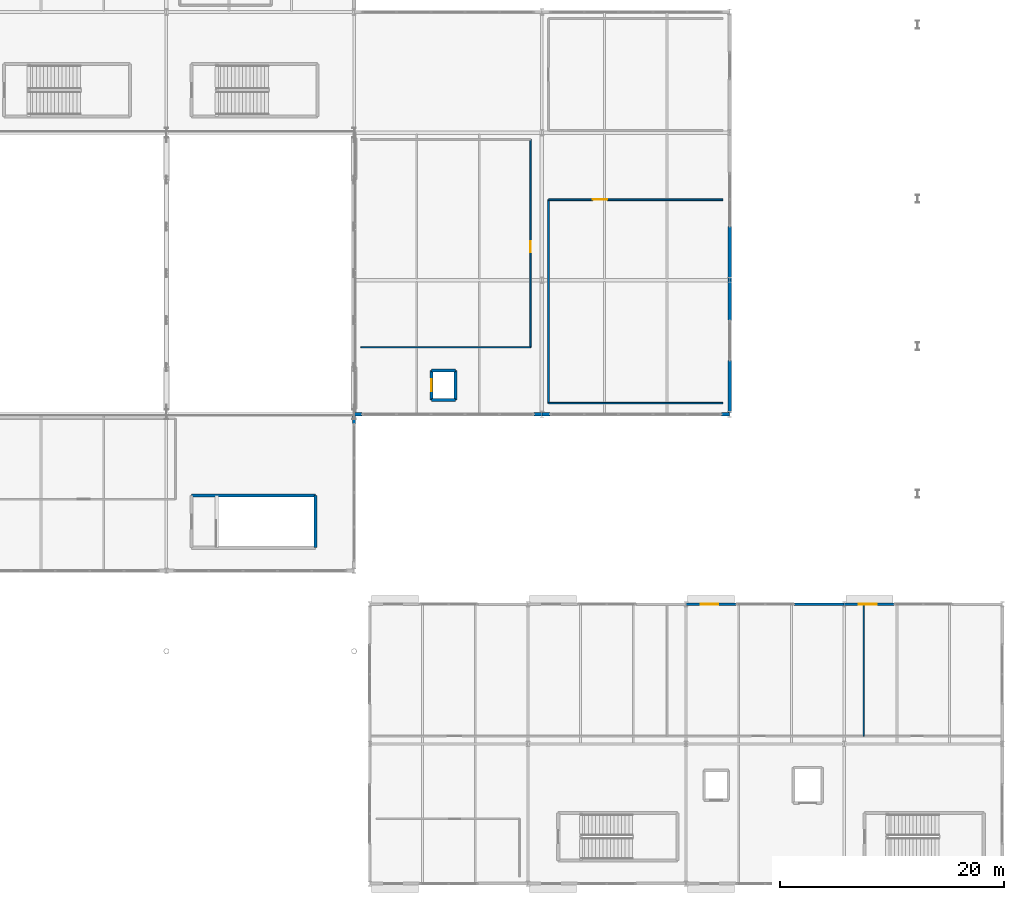
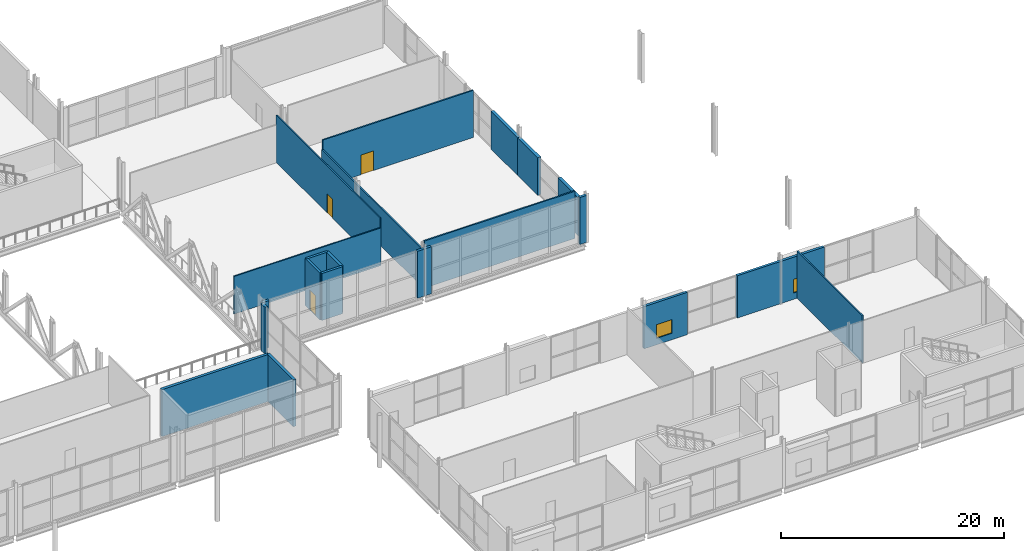
# One storey, part 66 of 84: 23 walls, 3 doors, 2 windows, 5 openings.
"""IFC4 building model written with IfcOpenShell, lengths in metres."""

from ifc_helpers import new_model, si_unit, direction, frame, frame_2d, origin, place, context, subcontext, project, spatial, rectangle, extrude, material, layer, layer_set, type_object, element, fill, save


model = new_model("IFC4")

# Units and contexts
model_context = context("Model", 3, precision=1e-05, world=origin(), true_north=direction((0.0, 1.0)))
body_context = subcontext(model_context, "Body", "Model", "MODEL_VIEW")
ifc_project = project(units=[si_unit("LENGTHUNIT", "METRE"), si_unit("AREAUNIT", "SQUARE_METRE"), si_unit("VOLUMEUNIT", "CUBIC_METRE"), si_unit("PLANEANGLEUNIT", "RADIAN"), si_unit("MASSUNIT", "GRAM", prefix="KILO")], contexts=[model_context])

# Site, building, storey
site_placement = place(None, origin())
site = spatial("IfcSite", under=ifc_project, at=site_placement, CompositionType="ELEMENT")
building_placement = place(site_placement, origin())
building = spatial("IfcBuilding", under=site, at=building_placement, Name="Kimbaza Rail Terminus", CompositionType="ELEMENT")
storey_placement = place(building_placement, frame((0.0, 0.0, 5.39990234375)))
storey = spatial("IfcBuildingStorey", under=building, at=storey_placement, Name="L01", CompositionType="ELEMENT", Elevation=5.39990234375)

# Wall, opening, window
ifc_material_1 = material(Name="Concrete blockwork C30/37", Category="masonry")
ifc_layer_1 = layer(ifc_material_1, 0.260009765625)
ifc_layer_set_1 = layer_set([ifc_layer_1], Name="Concrete blockwork C30/37")
wall_type_1 = type_object("IfcWallType", Name="ARC-WL-EXT260", PredefinedType="STANDARD", material=ifc_layer_set_1)
wall_1_placement = place(storey_placement, frame((185.699951171875, 38.0, 0.0), z_axis=(0.0, 0.0, 1.0), x_axis=(1.0, 0.0, 0.0)))
wall_1 = element("IfcWall", 1, at=wall_1_placement, inside=storey, type_object=wall_type_1, Name="Pavilion N Wall L01.2A", PredefinedType="STANDARD", context=body_context, shape_type="SweptSolid", body=[
    extrude(rectangle(XDim=4.5, YDim=0.260009765625, at=frame_2d((2.25, 0.0))), origin(), (0.0, 0.0, 1.0), 4.625),
])
opening_1_placement = place(wall_1_placement, frame((1.300048828125, 0.0, 0.699951171875)))
opening_1 = element("IfcOpeningElement", 2, at=opening_1_placement, cuts=wall_1, Name="Opening W-18", PredefinedType="OPENING", context=body_context, shape_type="SweptSolid", body=[
    extrude(rectangle(XDim=1.60009765625, YDim=1.5, at=frame_2d((0.800048828125, 0.75))), frame((0.0, 0.139892578125, 0.0), z_axis=(0.0, -1.0, 0.0), x_axis=(1.0, 0.0, 0.0)), (0.0, 0.0, 1.0), 0.280029296875),
])
ifc_material_2 = material(Name="Thermally broken aluminium and solar low-E glass", Category="aluminium")
window_type = type_object("IfcWindowType", Name="ARC-WIN-W-18", PartitioningType="SINGLE_PANEL", PredefinedType="WINDOW", material=ifc_material_2)
window_1_placement = place(opening_1_placement, origin())
window_1 = element("IfcWindow", 3, at=window_1_placement, inside=storey, type_object=window_type, Name="Pavilion Window L01.3", OverallHeight=1.5, OverallWidth=1.60009765625, PartitioningType="SINGLE_PANEL", PredefinedType="WINDOW", context=body_context, shape_type="SweptSolid", body=[
    extrude(rectangle(XDim=1.60009765625, YDim=1.5, at=frame_2d((0.800048828125, 0.75))), frame((0.0, 0.030029296875, 0.0), z_axis=(0.0, -1.0, 0.0), x_axis=(1.0, 0.0, 0.0)), (0.0, 0.0, 1.0), 0.06005859375),
])
fill(opening_1, window_1)

# Wall
wall_2_placement = place(storey_placement, frame((195.35009765625, 38.0, 0.0), z_axis=(0.0, 0.0, 1.0), x_axis=(1.0, 0.0, 0.0)))
element("IfcWall", 4, at=wall_2_placement, inside=storey, type_object=wall_type_1, Name="Pavilion N Wall L01.2B", PredefinedType="STANDARD", context=body_context, shape_type="SweptSolid", body=[
    extrude(rectangle(XDim=4.5, YDim=0.260009765625, at=frame_2d((2.25, 0.0))), origin(), (0.0, 0.0, 1.0), 4.625),
])

# Wall, opening, window
wall_3_placement = place(storey_placement, frame((199.85009765625, 38.0, 0.0), z_axis=(0.0, 0.0, 1.0), x_axis=(1.0, 0.0, 0.0)))
wall_3 = element("IfcWall", 5, at=wall_3_placement, inside=storey, type_object=wall_type_1, Name="Pavilion N Wall L01.3A", PredefinedType="STANDARD", context=body_context, shape_type="SweptSolid", body=[
    extrude(rectangle(XDim=4.5, YDim=0.260009765625, at=frame_2d((2.25, 0.0))), origin(), (0.0, 0.0, 1.0), 4.625),
])
opening_2_placement = place(wall_3_placement, frame((1.300048828125, 0.0, 0.699951171875)))
opening_2 = element("IfcOpeningElement", 6, at=opening_2_placement, cuts=wall_3, Name="Opening W-18", PredefinedType="OPENING", context=body_context, shape_type="SweptSolid", body=[
    extrude(rectangle(XDim=1.60009765625, YDim=1.5, at=frame_2d((0.800048828125, 0.75))), frame((0.0, 0.139892578125, 0.0), z_axis=(0.0, -1.0, 0.0), x_axis=(1.0, 0.0, 0.0)), (0.0, 0.0, 1.0), 0.280029296875),
])
window_2_placement = place(opening_2_placement, origin())
window_2 = element("IfcWindow", 7, at=window_2_placement, inside=storey, type_object=window_type, Name="Pavilion Window L01.4", OverallHeight=1.5, OverallWidth=1.60009765625, PartitioningType="SINGLE_PANEL", PredefinedType="WINDOW", context=body_context, shape_type="SweptSolid", body=[
    extrude(rectangle(XDim=1.60009765625, YDim=1.5, at=frame_2d((0.800048828125, 0.75))), frame((0.0, 0.030029296875, 0.0), z_axis=(0.0, -1.0, 0.0), x_axis=(1.0, 0.0, 0.0)), (0.0, 0.0, 1.0), 0.06005859375),
])
fill(opening_2, window_2)

# Walls
ifc_material_3 = material(Name="Precast concrete C40/50", Category="concrete")
ifc_layer_2 = layer(ifc_material_3, 0.280029296875)
ifc_layer_set_2 = layer_set([ifc_layer_2], Name="Precast concrete C40/50")
wall_type_2 = type_object("IfcWallType", Name="ARC-WL-EXT280", PredefinedType="STANDARD", material=ifc_layer_set_2)
wall_4_placement = place(storey_placement, frame((156.0, 54.139892578125, 0.0), z_axis=(0.0, 0.0, 1.0), x_axis=(0.0, 1.0, 0.0)))
element("IfcWall", 8, at=wall_4_placement, inside=storey, type_object=wall_type_2, Name="Concourse E Return Curtain Wall L01 Corner Pier B", PredefinedType="STANDARD", context=body_context, shape_type="SweptSolid", body=[
    extrude(rectangle(XDim=0.72021484375, YDim=0.280029296875, at=frame_2d((0.360107421875, 0.0))), origin(), (0.0, 0.0, 1.0), 5.14013671875),
])
for number, where, z_axis, x_axis, name in (
    (9, (156.0, 55.0, 0.0), (0.0, 0.0, 1.0), (1.0, 0.0, 0.0), "Ticket Hall Wing E Curtain Wall L01.1 Corner Pier A"),
    (10, (172.080078125, 55.0, 0.0), (0.0, 0.0, 1.0), (1.0, 0.0, 0.0), "Ticket Hall Wing E Curtain Wall L01.1 Corner Pier B"),
    (11, (172.800048828125, 55.0, 0.0), (0.0, 0.0, 1.0), (1.0, 0.0, 0.0), "Ticket Hall Wing E Curtain Wall L01.2 Corner Pier A"),
):
    element("IfcWall", number, at=place(storey_placement, frame(where, z_axis=z_axis, x_axis=x_axis)), inside=storey, type_object=wall_type_2, Name=name, PredefinedType="STANDARD", context=body_context, shape_type="SweptSolid", body=[
        extrude(rectangle(XDim=0.719970703125, YDim=0.280029296875, at=frame_2d((0.35986328125, 0.0))), origin(), (0.0, 0.0, 1.0), 5.14013671875),
    ])
wall_5_placement = place(storey_placement, frame((188.8798828125, 55.0, 0.0), z_axis=(0.0, 0.0, 1.0), x_axis=(1.0, 0.0, 0.0)))
element("IfcWall", 12, at=wall_5_placement, inside=storey, type_object=wall_type_2, Name="Ticket Hall Wing E Curtain Wall L01.2 Corner Pier B", PredefinedType="STANDARD", context=body_context, shape_type="SweptSolid", body=[
    extrude(rectangle(XDim=0.72021484375, YDim=0.280029296875, at=frame_2d((0.360107421875, 0.0))), origin(), (0.0, 0.0, 1.0), 5.14013671875),
])
ifc_material_4 = material(Name="Precast concrete C40/50", Category="concrete")
ifc_layer_3 = layer(ifc_material_4, 0.320068359375)
ifc_layer_set_3 = layer_set([ifc_layer_3], Name="Precast concrete C40/50")
wall_type_3 = type_object("IfcWallType", Name="ARC-WL-EXT320", PredefinedType="STANDARD", material=ifc_layer_set_3)
wall_6_placement = place(storey_placement, frame((189.60009765625, 55.139892578125, 0.0), z_axis=(0.0, 0.0, 1.0), x_axis=(0.0, 1.0, 0.0)))
element("IfcWall", 13, at=wall_6_placement, inside=storey, type_object=wall_type_3, Name="Ticket Hall E Flank Wall L01.1", PredefinedType="STANDARD", context=body_context, shape_type="SweptSolid", body=[
    extrude(rectangle(XDim=4.66015625, YDim=0.320068359375, at=frame_2d((2.330078125, 0.0))), origin(), (0.0, 0.0, 1.0), 4.125),
])
wall_7_placement = place(storey_placement, frame((189.60009765625, 63.39990234375, 0.0), z_axis=(0.0, 0.0, 1.0), x_axis=(0.0, 1.0, 0.0)))
element("IfcWall", 14, at=wall_7_placement, inside=storey, type_object=wall_type_3, Name="Ticket Hall E Pier L01.1", PredefinedType="STANDARD", context=body_context, shape_type="SweptSolid", body=[
    extrude(rectangle(XDim=3.60009765625, YDim=0.320068359375, at=frame_2d((1.800048828125, 0.0))), origin(), (0.0, 0.0, 1.0), 4.125),
])
wall_8_placement = place(storey_placement, frame((189.60009765625, 67.0, 0.0), z_axis=(0.0, 0.0, 1.0), x_axis=(0.0, 1.0, 0.0)))
element("IfcWall", 15, at=wall_8_placement, inside=storey, type_object=wall_type_3, Name="Ticket Hall E Flank Wall L01.2", PredefinedType="STANDARD", context=body_context, shape_type="SweptSolid", body=[
    extrude(rectangle(XDim=4.800048828125, YDim=0.320068359375, at=frame_2d((2.39990234375, 0.0))), origin(), (0.0, 0.0, 1.0), 4.125),
])
ifc_material_5 = material(Name="Acoustic gypsum stud partition", Category="gypsum")
ifc_layer_4 = layer(ifc_material_5, 0.1298828125)
ifc_layer_set_4 = layer_set([ifc_layer_4], Name="Acoustic gypsum stud partition")
wall_type_4 = type_object("IfcWallType", Name="ARC-WL-PART130", PredefinedType="PARTITIONING", material=ifc_layer_set_4)
wall_9_placement = place(storey_placement, frame((156.60009765625, 61.0, 0.0), z_axis=(0.0, 0.0, 1.0), x_axis=(1.0, 0.0, 0.0)))
element("IfcWall", 16, at=wall_9_placement, inside=storey, type_object=wall_type_4, Name="East Mezzanine Rail Ticketing Salon Partition (south)", PredefinedType="PARTITIONING", context=body_context, shape_type="SweptSolid", body=[
    extrude(rectangle(XDim=15.199951171875, YDim=0.1298828125, at=frame_2d((7.60009765625, 0.0))), origin(), (0.0, 0.0, 1.0), 4.125),
])

# Wall, opening, door
wall_10_placement = place(storey_placement, frame((171.800048828125, 61.0, 0.0), z_axis=(0.0, 0.0, 1.0), x_axis=(0.0, 1.0, 0.0)))
wall_10 = element("IfcWall", 17, at=wall_10_placement, inside=storey, type_object=wall_type_4, Name="East Mezzanine Rail Ticketing Salon Partition (east)", PredefinedType="PARTITIONING", context=body_context, shape_type="SweptSolid", body=[
    extrude(rectangle(XDim=18.60009765625, YDim=0.1298828125, at=frame_2d((9.300048828125, 0.0))), origin(), (0.0, 0.0, 1.0), 5.16015625),
])
opening_3_placement = place(wall_10_placement, frame((9.489990234375, 0.0, 0.0), z_axis=(0.0, 0.0, 1.0), x_axis=(-1.0, 0.0, 0.0)))
opening_3 = element("IfcOpeningElement", 18, at=opening_3_placement, cuts=wall_10, Name="Opening ID-10", PredefinedType="OPENING", context=body_context, shape_type="SweptSolid", body=[
    extrude(rectangle(XDim=0.97998046875, YDim=2.10009765625, at=frame_2d((0.489990234375, 1.050048828125))), frame((0.0, 0.074951171875, 0.0), z_axis=(0.0, -1.0, 0.0), x_axis=(1.0, 0.0, 0.0)), (0.0, 0.0, 1.0), 0.14990234375),
])
ifc_material_6 = material(Name="Washroom suite privacy door", Category="wood")
door_type_1 = type_object("IfcDoorType", Name="ARC-DR-ID098", OperationType="NOTDEFINED", PredefinedType="DOOR", material=ifc_material_6)
door_1_placement = place(opening_3_placement, origin())
door_1 = element("IfcDoor", 19, at=door_1_placement, inside=storey, type_object=door_type_1, Name="IDR-SPC-L01-EBUS", OperationType="SINGLE_SWING_LEFT", OverallHeight=2.10009765625, OverallWidth=0.97998046875, PredefinedType="DOOR", context=body_context, shape_type="SweptSolid", body=[
    extrude(rectangle(XDim=0.97998046875, YDim=2.10009765625, at=frame_2d((0.489990234375, 1.050048828125))), frame((0.0, 0.02490234375, 0.0), z_axis=(0.0, -1.0, 0.0), x_axis=(1.0, 0.0, 0.0)), (0.0, 0.0, 1.0), 0.050048828125),
])
fill(opening_3, door_1)

# Walls
wall_11_placement = place(storey_placement, frame((201.60009765625, 26.199951171875, 0.0), z_axis=(0.0, 0.0, 1.0), x_axis=(0.0, 1.0, 0.0)))
element("IfcWall", 20, at=wall_11_placement, inside=storey, type_object=wall_type_4, Name="Brasserie Preparation Kitchen Partition (east)", PredefinedType="PARTITIONING", context=body_context, shape_type="SweptSolid", body=[
    extrude(rectangle(XDim=11.670166015625, YDim=0.1298828125, at=frame_2d((5.8349609375, 0.0))), origin(), (0.0, 0.0, 1.0), 5.16015625),
])
ifc_material_7 = material(Name="Acoustic gypsum stud partition", Category="gypsum")
ifc_layer_5 = layer(ifc_material_7, 0.14990234375)
ifc_layer_set_5 = layer_set([ifc_layer_5], Name="Acoustic gypsum stud partition")
wall_type_5 = type_object("IfcWallType", Name="ARC-WL-PART150", PredefinedType="PARTITIONING", material=ifc_layer_set_5)
wall_12_placement = place(storey_placement, frame((173.39990234375, 56.0, 0.0), z_axis=(0.0, 0.0, 1.0), x_axis=(1.0, 0.0, 0.0)))
element("IfcWall", 21, at=wall_12_placement, inside=storey, type_object=wall_type_5, Name="Family and Quiet Waiting Lounge Partition (south)", PredefinedType="PARTITIONING", context=body_context, shape_type="SweptSolid", body=[
    extrude(rectangle(XDim=15.60009765625, YDim=0.14990234375, at=frame_2d((7.800048828125, 0.0))), origin(), (0.0, 0.0, 1.0), 5.16015625),
])

# Wall, opening, door
wall_13_placement = place(storey_placement, frame((189.0, 74.199951171875, 0.0), z_axis=(0.0, 0.0, 1.0), x_axis=(-1.0, 0.0, 0.0)))
wall_13 = element("IfcWall", 22, at=wall_13_placement, inside=storey, type_object=wall_type_5, Name="Family and Quiet Waiting Lounge Partition (north)", PredefinedType="PARTITIONING", context=body_context, shape_type="SweptSolid", body=[
    extrude(rectangle(XDim=15.60009765625, YDim=0.14990234375, at=frame_2d((7.800048828125, 0.0))), origin(), (0.0, 0.0, 1.0), 5.16015625),
])
opening_4_placement = place(wall_13_placement, frame((10.35009765625, 0.0, 0.0)))
opening_4 = element("IfcOpeningElement", 23, at=opening_4_placement, cuts=wall_13, Name="Opening ID-08", PredefinedType="OPENING", context=body_context, shape_type="SweptSolid", body=[
    extrude(rectangle(XDim=1.300048828125, YDim=2.14990234375, at=frame_2d((0.64990234375, 1.074951171875))), frame((0.0, 0.0849609375, 0.0), z_axis=(0.0, -1.0, 0.0), x_axis=(1.0, 0.0, 0.0)), (0.0, 0.0, 1.0), 0.169921875),
])
ifc_material_8 = material(Name="Training classroom acoustic door", Category="wood")
door_type_2 = type_object("IfcDoorType", Name="ARC-DR-ID130", OperationType="NOTDEFINED", PredefinedType="DOOR", material=ifc_material_8)
door_2_placement = place(opening_4_placement, origin())
door_2 = element("IfcDoor", 24, at=door_2_placement, inside=storey, type_object=door_type_2, Name="IDR-SPC-L01-ELNG", OperationType="SINGLE_SWING_LEFT", OverallHeight=2.14990234375, OverallWidth=1.300048828125, PredefinedType="DOOR", context=body_context, shape_type="SweptSolid", body=[
    extrude(rectangle(XDim=1.300048828125, YDim=2.14990234375, at=frame_2d((0.64990234375, 1.074951171875))), frame((0.0, 0.02490234375, 0.0), z_axis=(0.0, -1.0, 0.0), x_axis=(1.0, 0.0, 0.0)), (0.0, 0.0, 1.0), 0.050048828125),
])
fill(opening_4, door_2)

# Walls
wall_14_placement = place(storey_placement, frame((173.39990234375, 74.199951171875, 0.0), z_axis=(0.0, 0.0, 1.0), x_axis=(0.0, -1.0, 0.0)))
element("IfcWall", 25, at=wall_14_placement, inside=storey, type_object=wall_type_5, Name="Family and Quiet Waiting Lounge Partition (west)", PredefinedType="PARTITIONING", context=body_context, shape_type="SweptSolid", body=[
    extrude(rectangle(XDim=18.199951171875, YDim=0.14990234375, at=frame_2d((9.10009765625, 0.0))), origin(), (0.0, 0.0, 1.0), 4.125),
])
ifc_material_9 = material(Name="Concrete C40/50", Category="concrete")
ifc_layer_6 = layer(ifc_material_9, 0.25)
ifc_layer_set_6 = layer_set([ifc_layer_6], Name="Concrete C40/50")
wall_type_6 = type_object("IfcWallType", Name="STR-WL-CORE250", PredefinedType="SHEAR", material=ifc_layer_set_6)
wall_15_placement = place(storey_placement, frame((162.919921875, 56.27001953125, 0.0), z_axis=(0.0, 0.0, 1.0), x_axis=(1.0, 0.0, 0.0)))
element("IfcWall", 26, at=wall_15_placement, inside=storey, type_object=wall_type_6, Name="Lift Shaft Wall LP-06 L01-1", PredefinedType="SHEAR", context=body_context, shape_type="SweptSolid", body=[
    extrude(rectangle(XDim=2.16015625, YDim=0.25, at=frame_2d((1.080078125, 0.0))), origin(), (0.0, 0.0, 1.0), 5.14013671875),
])
wall_16_placement = place(storey_placement, frame((165.080078125, 56.27001953125, 0.0), z_axis=(0.0, 0.0, 1.0), x_axis=(0.0, 1.0, 0.0)))
element("IfcWall", 27, at=wall_16_placement, inside=storey, type_object=wall_type_6, Name="Lift Shaft Wall LP-06 L01-2", PredefinedType="SHEAR", context=body_context, shape_type="SweptSolid", body=[
    extrude(rectangle(XDim=2.659912109375, YDim=0.25, at=frame_2d((1.330078125, 0.0))), origin(), (0.0, 0.0, 1.0), 5.14013671875),
])
wall_17_placement = place(storey_placement, frame((165.080078125, 58.929931640625, 0.0), z_axis=(0.0, 0.0, 1.0), x_axis=(-1.0, 0.0, 0.0)))
element("IfcWall", 28, at=wall_17_placement, inside=storey, type_object=wall_type_6, Name="Lift Shaft Wall LP-06 L01-3", PredefinedType="SHEAR", context=body_context, shape_type="SweptSolid", body=[
    extrude(rectangle(XDim=2.16015625, YDim=0.25, at=frame_2d((1.080078125, 0.0))), origin(), (0.0, 0.0, 1.0), 5.14013671875),
])

# Wall, opening, door
wall_18_placement = place(storey_placement, frame((162.919921875, 58.929931640625, 0.0), z_axis=(0.0, 0.0, 1.0), x_axis=(0.0, -1.0, 0.0)))
wall_18 = element("IfcWall", 29, at=wall_18_placement, inside=storey, type_object=wall_type_6, Name="Lift Shaft Wall LP-06 L01-4", PredefinedType="SHEAR", context=body_context, shape_type="SweptSolid", body=[
    extrude(rectangle(XDim=2.659912109375, YDim=0.25, at=frame_2d((1.330078125, 0.0))), origin(), (0.0, 0.0, 1.0), 5.14013671875),
])
opening_5_placement = place(wall_18_placement, frame((0.780029296875, 0.0, 0.0)))
opening_5 = element("IfcOpeningElement", 30, at=opening_5_placement, cuts=wall_18, Name="Opening LD-01", PredefinedType="OPENING", context=body_context, shape_type="SweptSolid", body=[
    extrude(rectangle(XDim=1.10009765625, YDim=2.199951171875, at=frame_2d((0.550048828125, 1.10009765625))), frame((0.0, 0.135009765625, 0.0), z_axis=(0.0, -1.0, 0.0), x_axis=(1.0, 0.0, 0.0)), (0.0, 0.0, 1.0), 0.27001953125),
])
ifc_material_10 = material(Name="Brushed stainless steel sliding landing door", Category="steel")
door_type_3 = type_object("IfcDoorType", Name="ARC-DR-LD110", OperationType="NOTDEFINED", PredefinedType="DOOR", material=ifc_material_10)
door_3_placement = place(opening_5_placement, origin())
door_3 = element("IfcDoor", 31, at=door_3_placement, inside=storey, type_object=door_type_3, Name="LDR-LP-06-L01", OperationType="SLIDING_TO_LEFT", OverallHeight=2.199951171875, OverallWidth=1.10009765625, PredefinedType="DOOR", context=body_context, shape_type="SweptSolid", body=[
    extrude(rectangle(XDim=1.10009765625, YDim=2.199951171875, at=frame_2d((0.550048828125, 1.10009765625))), frame((0.0, 0.02490234375, 0.0), z_axis=(0.0, -1.0, 0.0), x_axis=(1.0, 0.0, 0.0)), (0.0, 0.0, 1.0), 0.050048828125),
])
fill(opening_5, door_3)

# Walls
ifc_material_11 = material(Name="Concrete C40/50", Category="concrete")
ifc_layer_7 = layer(ifc_material_11, 0.280029296875)
ifc_layer_set_7 = layer_set([ifc_layer_7], Name="Concrete C40/50")
wall_type_7 = type_object("IfcWallType", Name="STR-WL-CORE280", PredefinedType="SHEAR", material=ifc_layer_set_7)
wall_19_placement = place(storey_placement, frame((152.5400390625, 43.06005859375, 0.0), z_axis=(0.0, 0.0, 1.0), x_axis=(0.0, 1.0, 0.0)))
element("IfcWall", 32, at=wall_19_placement, inside=storey, type_object=wall_type_7, Name="South Metro Concourse East Stair Shaft Wall L01-2", PredefinedType="SHEAR", context=body_context, shape_type="SweptSolid", body=[
    extrude(rectangle(XDim=4.679931640625, YDim=0.280029296875, at=frame_2d((2.33984375, 0.0))), origin(), (0.0, 0.0, 1.0), 5.14013671875),
])
wall_20_placement = place(storey_placement, frame((152.5400390625, 47.739990234375, 0.0), z_axis=(0.0, 0.0, 1.0), x_axis=(-1.0, 0.0, 0.0)))
element("IfcWall", 33, at=wall_20_placement, inside=storey, type_object=wall_type_7, Name="South Metro Concourse East Stair Shaft Wall L01-3", PredefinedType="SHEAR", context=body_context, shape_type="SweptSolid", body=[
    extrude(rectangle(XDim=11.080078125, YDim=0.280029296875, at=frame_2d((5.5400390625, 0.0))), origin(), (0.0, 0.0, 1.0), 5.14013671875),
])

save(model, "model.ifc")
